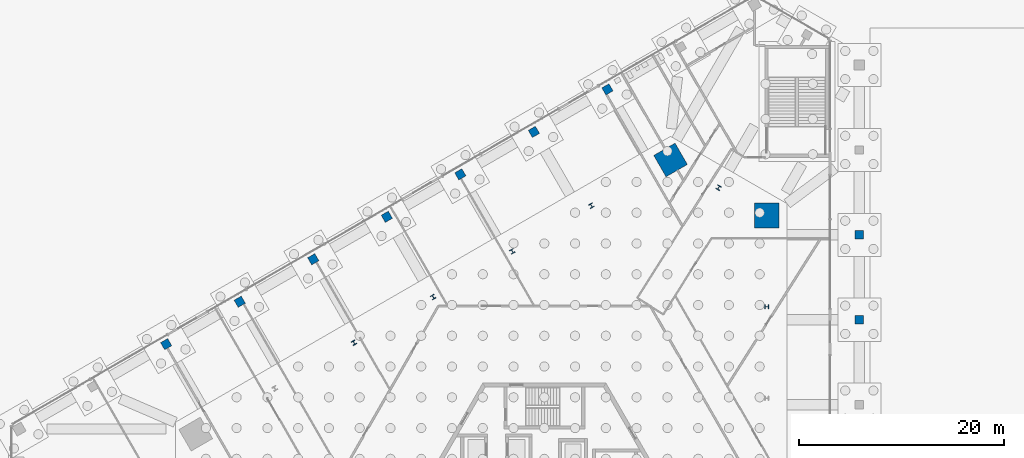
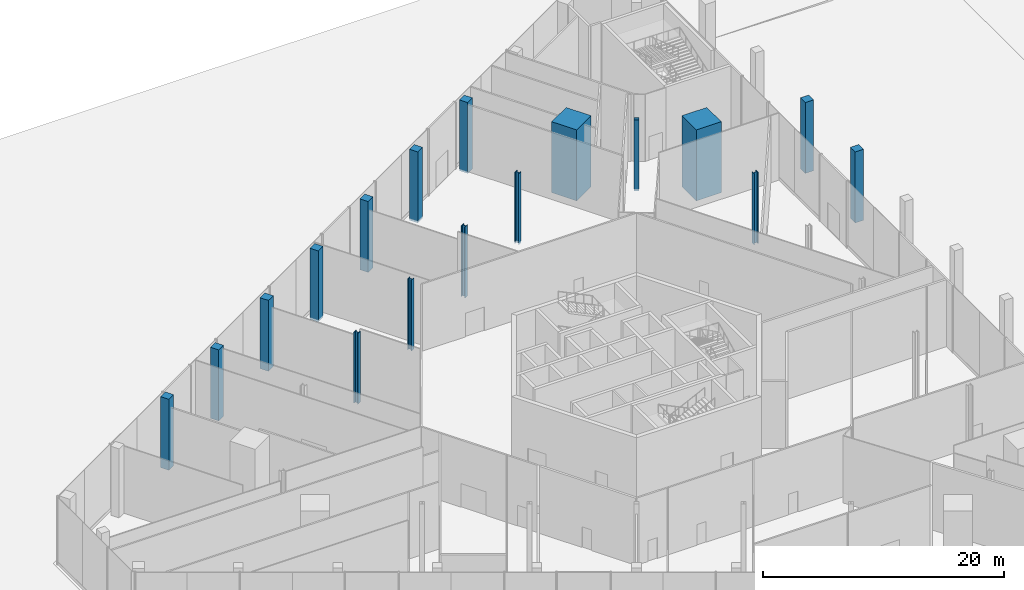
# One storey, part 6 of 27: 17 columns.
"""IFC4 building model written with IfcOpenShell, lengths in metres."""

from ifc_helpers import new_model, si_unit, direction, frame, origin, origin_2d, place, context, subcontext, project, spatial, rectangle, i_section, extrude, source, transform, mapped, material, material_profile, profile_set, type_object, element, save


model = new_model("IFC4")

# Units and contexts
model_context = context("Model", 3, precision=1e-05, world=origin(), true_north=direction((0.0, 1.0)))
body_context = subcontext(model_context, "Body", "Model", "MODEL_VIEW")
ifc_project = project(units=[si_unit("LENGTHUNIT", "METRE"), si_unit("AREAUNIT", "SQUARE_METRE"), si_unit("VOLUMEUNIT", "CUBIC_METRE"), si_unit("PLANEANGLEUNIT", "RADIAN"), si_unit("MASSUNIT", "GRAM", prefix="KILO")], contexts=[model_context])

# Site, building, storey
site_placement = place(None, origin())
site = spatial("IfcSite", under=ifc_project, at=site_placement, CompositionType="ELEMENT")
building_placement = place(site_placement, origin())
building = spatial("IfcBuilding", under=site, at=building_placement, Name="Triune Harvest Tower", CompositionType="ELEMENT")
storey_placement = place(building_placement, origin())
storey = spatial("IfcBuildingStorey", under=building, at=storey_placement, Name="L00", CompositionType="ELEMENT", Elevation=0.0)

# Columns
ifc_material_1 = material(Name="Concrete 70 MPa", Category="concrete")
ifc_material_profile_1 = material_profile(ifc_material_1, rectangle(XDim=2.39990234375, YDim=2.39990234375, at=origin_2d()), Name="Composite 2400x2400")
ifc_profile_set_1 = profile_set([ifc_material_profile_1], Name="Concrete 70 MPa")
column_type_1 = type_object("IfcColumnType", Name="MC-1 Mega column Composite 2400x2400", PredefinedType="COLUMN", material=ifc_profile_set_1)
shared_shape_1 = source(origin(), body_context, "Body", "SweptSolid", [
    extrude(rectangle(XDim=2.39990234375, YDim=2.39990234375, at=origin_2d()), origin(), (0.0, 0.0, 1.0), 7.199951171875),
])
for number, where, z_axis, x_axis, name in (
    (1, (21.679443359375, 26.72998046875, -0.199951171875), (0.0, 0.0, 1.0), (0.0, 1.0, 0.0), "col/L00/M6"),
    (2, (12.30908203125, 32.139892578125, -0.199951171875), (0.0, 0.0, 1.0), (-0.866025403784, -0.5, 0.0), "col/L00/M8"),
):
    element("IfcColumn", number, at=place(storey_placement, frame(where, z_axis=z_axis, x_axis=x_axis)), inside=storey, type_object=column_type_1, Name=name, PredefinedType="COLUMN", context=body_context, shape_type="MappedRepresentation", body=[
        mapped(shared_shape_1, transform((0.0, 0.0, 0.0), scale=1.0)),
    ])
ifc_material_2 = material(Name="Steel ASTM A992 Gr 50", Category="steel")
ifc_material_profile_2 = material_profile(ifc_material_2, i_section(OverallWidth=0.40380859375, OverallDepth=0.406494140625, WebThickness=0.027099609375, FlangeThickness=0.043701171875, at=origin_2d()), Name="W14x233")
ifc_profile_set_2 = profile_set([ifc_material_profile_2], Name="Steel ASTM A992 Gr 50")
column_type_2 = type_object("IfcColumnType", Name="PC-1 Perimeter column W14x233", PredefinedType="COLUMN", material=ifc_profile_set_2)
shared_shape_2 = source(origin(), body_context, "Body", "SweptSolid", [
    extrude(i_section(OverallWidth=0.40380859375, OverallDepth=0.406494140625, WebThickness=0.027099609375, FlangeThickness=0.043701171875, at=origin_2d()), origin(), (0.0, 0.0, 1.0), 7.199951171875),
])
for number, where, z_axis, x_axis, name in (
    (3, (21.679443359375, 17.820068359375, -0.199951171875), (0.0, 0.0, 1.0), (0.0, 1.0, 0.0), "col/L00/P5"),
    (4, (16.994384765625, 29.43505859375, -0.199951171875), (0.0, 0.0, 1.0), (-0.866026276448, 0.4999984885, 0.0), "col/L00/P7"),
    (5, (4.5927734375, 27.68505859375, -0.199951171875), (0.0, 0.0, 1.0), (-0.866025403784, -0.5, 0.0), "col/L00/P9"),
    (6, (-3.12353515625, 23.22998046875, -0.199951171875), (0.0, 0.0, 1.0), (-0.866025403784, -0.5, 0.0), "col/L00/P10"),
    (7, (-10.839599609375, 18.77490234375, -0.199951171875), (0.0, 0.0, 1.0), (-0.866025403784, -0.5, 0.0), "col/L00/P11"),
    (8, (-18.555908203125, 14.320068359375, -0.199951171875), (0.0, 0.0, 1.0), (-0.866025403784, -0.5, 0.0), "col/L00/P12"),
):
    element("IfcColumn", number, at=place(storey_placement, frame(where, z_axis=z_axis, x_axis=x_axis)), inside=storey, type_object=column_type_2, Name=name, PredefinedType="COLUMN", context=body_context, shape_type="MappedRepresentation", body=[
        mapped(shared_shape_2, transform((0.0, 0.0, 0.0), scale=1.0)),
    ])
ifc_material_3 = material(Name="Concrete 50 MPa", Category="concrete")
ifc_material_profile_3 = material_profile(ifc_material_3, rectangle(XDim=0.800048828125, YDim=0.800048828125, at=origin_2d()), Name="Concrete 800x800")
ifc_profile_set_3 = profile_set([ifc_material_profile_3], Name="Concrete 50 MPa")
column_type_3 = type_object("IfcColumnType", Name="PD-2 Podium column Concrete 800x800", PredefinedType="COLUMN", material=ifc_profile_set_3)
shared_shape_3 = source(origin(), body_context, "Body", "SweptSolid", [
    extrude(rectangle(XDim=0.800048828125, YDim=0.800048828125, at=origin_2d()), origin(), (0.0, 0.0, 1.0), 7.199951171875),
])
for number, where, z_axis, x_axis, name in (
    (9, (30.715087890625, 16.56005859375, -0.199951171875), (0.0, 0.0, 1.0), (0.0, 1.0, 0.0), "col/L00/D7"),
    (10, (30.715087890625, 24.840087890625, -0.199951171875), (0.0, 0.0, 1.0), (0.0, 1.0, 0.0), "col/L00/D8"),
    (11, (6.154541015625, 39.02001953125, -0.199951171875), (0.0, 0.0, 1.0), (-0.866025403784, -0.5, 0.0), "col/L00/D14"),
    (12, (-1.01611328125, 34.8798828125, -0.199951171875), (0.0, 0.0, 1.0), (-0.866025403784, -0.5, 0.0), "col/L00/D15"),
    (13, (-8.18701171875, 30.739990234375, -0.199951171875), (0.0, 0.0, 1.0), (-0.866025403784, -0.5, 0.0), "col/L00/D16"),
    (14, (-15.357421875, 26.60009765625, -0.199951171875), (0.0, 0.0, 1.0), (-0.866025403784, -0.5, 0.0), "col/L00/D17"),
    (15, (-22.5283203125, 22.4599609375, -0.199951171875), (0.0, 0.0, 1.0), (-0.866025403784, -0.5, 0.0), "col/L00/D18"),
    (16, (-29.698974609375, 18.320068359375, -0.199951171875), (0.0, 0.0, 1.0), (-0.866025403784, -0.5, 0.0), "col/L00/D19"),
    (17, (-36.86962890625, 14.179931640625, -0.199951171875), (0.0, 0.0, 1.0), (-0.866025403784, -0.5, 0.0), "col/L00/D20"),
):
    element("IfcColumn", number, at=place(storey_placement, frame(where, z_axis=z_axis, x_axis=x_axis)), inside=storey, type_object=column_type_3, Name=name, PredefinedType="COLUMN", context=body_context, shape_type="MappedRepresentation", body=[
        mapped(shared_shape_3, transform((0.0, 0.0, 0.0), scale=1.0)),
    ])

save(model, "model.ifc")
